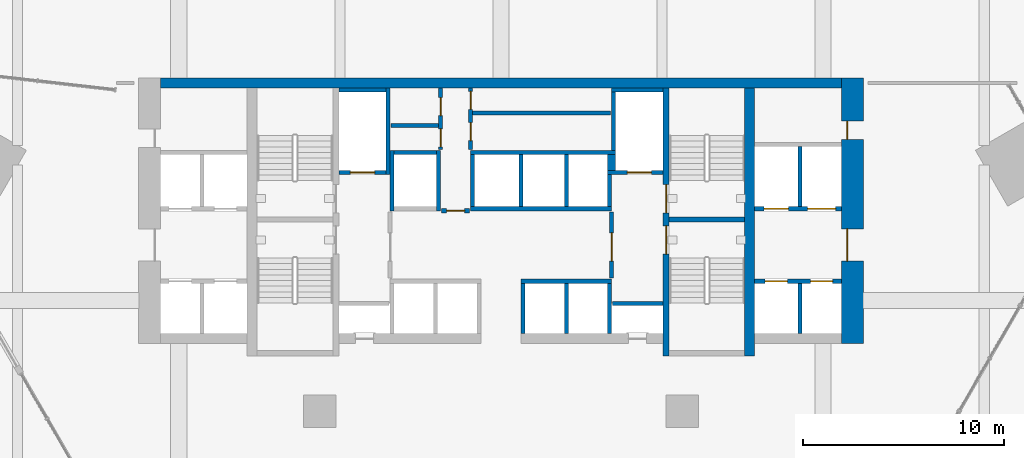
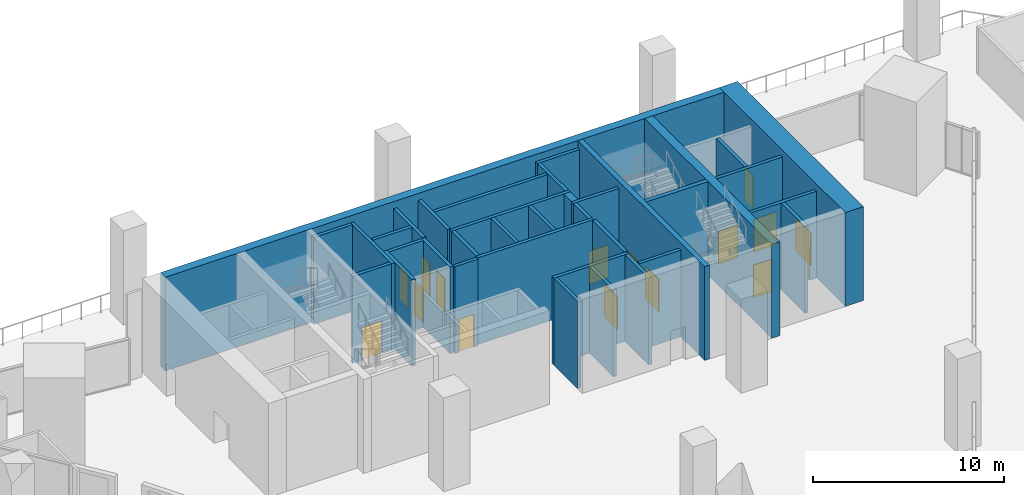
# One storey, part 20 of 25: 36 walls, 16 doors, 16 openings.
"""IFC4 building model written with IfcOpenShell, lengths in metres."""

from ifc_helpers import new_model, si_unit, direction, frame, frame_2d, origin, place, context, subcontext, project, spatial, rectangle, extrude, material, layer, layer_set, type_object, element, fill, save


model = new_model("IFC4")

# Units and contexts
model_context = context("Model", 3, precision=1e-05, world=origin(), true_north=direction((0.0, 1.0)))
body_context = subcontext(model_context, "Body", "Model", "MODEL_VIEW")
ifc_project = project(units=[si_unit("LENGTHUNIT", "METRE"), si_unit("AREAUNIT", "SQUARE_METRE"), si_unit("VOLUMEUNIT", "CUBIC_METRE"), si_unit("PLANEANGLEUNIT", "RADIAN"), si_unit("MASSUNIT", "GRAM", prefix="KILO")], contexts=[model_context])

# Site, building, storey
site_placement = place(None, origin())
site = spatial("IfcSite", under=ifc_project, at=site_placement, CompositionType="ELEMENT")
building_placement = place(site_placement, origin())
building = spatial("IfcBuilding", under=site, at=building_placement, Name="Calabash Gate Tower", CompositionType="ELEMENT")
storey_placement = place(building_placement, frame((0.0, 0.0, 40.0)))
storey = spatial("IfcBuildingStorey", under=building, at=storey_placement, Name="L05", CompositionType="ELEMENT", Elevation=40.0)

# Wall, openings, doors
ifc_material_1 = material(Name="Concrete C80/95", Category="concrete")
ifc_layer_1 = layer(ifc_material_1, 1.10009765625)
ifc_layer_set_1 = layer_set([ifc_layer_1], Name="Core wall 1100 Concrete C80/95")
wall_type_1 = type_object("IfcWallType", Name="Core wall 1100 Concrete C80/95", PredefinedType="SHEAR", material=ifc_layer_set_1)
wall_1_placement = place(storey_placement, frame((17.449951171875, 5.8525390625, 0.0), z_axis=(0.0, 0.0, 1.0), x_axis=(0.0, 1.0, 0.0)))
wall_1 = element("IfcWall", 1, at=wall_1_placement, inside=storey, type_object=wall_type_1, Name="Core wall Z0-ENDE L05", PredefinedType="SHEAR", context=body_context, shape_type="SweptSolid", body=[
    extrude(rectangle(XDim=13.199951171875, YDim=1.10009765625, at=frame_2d((6.60009765625, 0.0))), origin(), (0.0, 0.0, 1.0), 6.0),
])
opening_1_placement = place(wall_1_placement, frame((4.10009765625, 0.0, 0.0)))
opening_1 = element("IfcOpeningElement", 2, at=opening_1_placement, cuts=wall_1, Name="Opening L05-021", PredefinedType="OPENING", context=body_context, shape_type="SweptSolid", body=[
    extrude(rectangle(XDim=1.60009765625, YDim=2.10009765625, at=frame_2d((0.800048828125, 1.050048828125))), frame((0.0, 0.56005859375, 0.0), z_axis=(0.0, -1.0, 0.0), x_axis=(1.0, 0.0, 0.0)), (0.0, 0.0, 1.0), 1.1201171875),
])
opening_2_placement = place(wall_1_placement, frame((10.14990234375, 0.0, 0.0)))
opening_2 = element("IfcOpeningElement", 3, at=opening_2_placement, cuts=wall_1, Name="Opening L05-022", PredefinedType="OPENING", context=body_context, shape_type="SweptSolid", body=[
    extrude(rectangle(XDim=0.89990234375, YDim=2.10009765625, at=frame_2d((0.449951171875, 1.050048828125))), frame((0.0, 0.56005859375, 0.0), z_axis=(0.0, -1.0, 0.0), x_axis=(1.0, 0.0, 0.0)), (0.0, 0.0, 1.0), 1.1201171875),
])
ifc_material_2 = material(Name="Steel fire door set with fire-resisting glazing", Category="steel")
door_type_1 = type_object("IfcDoorType", Name="Double fire door D08 1600x2100 FD60", OperationType="DOUBLE_DOOR_SINGLE_SWING", PredefinedType="DOOR", material=ifc_material_2)
door_1_placement = place(opening_1_placement, origin())
door_1 = element("IfcDoor", 4, at=door_1_placement, inside=storey, type_object=door_type_1, Name="Low-rise Lift Lobby E door", OperationType="DOUBLE_DOOR_SINGLE_SWING", OverallHeight=2.10009765625, OverallWidth=1.60009765625, PredefinedType="DOOR", context=body_context, shape_type="SweptSolid", body=[
    extrude(rectangle(XDim=1.60009765625, YDim=2.10009765625, at=frame_2d((0.800048828125, 1.050048828125))), frame((0.0, 0.27490234375, 0.0), z_axis=(0.0, -1.0, 0.0), x_axis=(1.0, 0.0, 0.0)), (0.0, 0.0, 1.0), 0.050048828125),
])
fill(opening_1, door_1)
ifc_material_3 = material(Name="Steel fire door set with fire-resisting glazing", Category="steel")
door_type_2 = type_object("IfcDoorType", Name="Fire door D06 900x2100 FD60", OperationType="NOTDEFINED", PredefinedType="DOOR", material=ifc_material_3)
door_2_placement = place(opening_2_placement, origin())
door_2 = element("IfcDoor", 5, at=door_2_placement, inside=storey, type_object=door_type_2, Name="Pantry door", OperationType="SINGLE_SWING_LEFT", OverallHeight=2.10009765625, OverallWidth=0.89990234375, PredefinedType="DOOR", context=body_context, shape_type="SweptSolid", body=[
    extrude(rectangle(XDim=0.89990234375, YDim=2.10009765625, at=frame_2d((0.449951171875, 1.050048828125))), frame((0.0, 0.27490234375, 0.0), z_axis=(0.0, -1.0, 0.0), x_axis=(1.0, 0.0, 0.0)), (0.0, 0.0, 1.0), 0.050048828125),
])
fill(opening_2, door_2)

# Wall
ifc_material_4 = material(Name="Concrete C80/95", Category="concrete")
ifc_layer_2 = layer(ifc_material_4, 0.25)
ifc_layer_set_2 = layer_set([ifc_layer_2], Name="Core wall 250 Concrete C80/95")
wall_type_2 = type_object("IfcWallType", Name="Core wall 250 Concrete C80/95", PredefinedType="SHEAR", material=ifc_layer_set_2)
wall_2_placement = place(storey_placement, frame((8.35009765625, 12.027587890625, 0.0), z_axis=(0.0, 0.0, 1.0), x_axis=(1.0, 0.0, 0.0)))
element("IfcWall", 6, at=wall_2_placement, inside=storey, type_object=wall_type_2, Name="Core wall Z0-MIDE L05", PredefinedType="SHEAR", context=body_context, shape_type="SweptSolid", body=[
    extrude(rectangle(XDim=3.75, YDim=0.25, at=frame_2d((1.875, 0.0))), origin(), (0.0, 0.0, 1.0), 6.0),
])

# Wall, openings, doors
ifc_material_5 = material(Name="Concrete C80/95", Category="concrete")
ifc_layer_3 = layer(ifc_material_5, 0.300048828125)
ifc_layer_set_3 = layer_set([ifc_layer_3], Name="Core wall 300 Concrete C80/95")
wall_type_3 = type_object("IfcWallType", Name="Core wall 300 Concrete C80/95", PredefinedType="SHEAR", material=ifc_layer_set_3)
wall_3_placement = place(storey_placement, frame((8.199951171875, 5.252685546875, 0.0), z_axis=(0.0, 0.0, 1.0), x_axis=(0.0, 1.0, 0.0)))
wall_3 = element("IfcWall", 7, at=wall_3_placement, inside=storey, type_object=wall_type_3, Name="Core wall Z0-PARTE L05", PredefinedType="SHEAR", context=body_context, shape_type="SweptSolid", body=[
    extrude(rectangle(XDim=13.2998046875, YDim=0.300048828125, at=frame_2d((6.64990234375, 0.0))), origin(), (0.0, 0.0, 1.0), 6.0),
])
opening_3_placement = place(wall_3_placement, frame((7.10009765625, 0.0, 0.0)))
opening_3 = element("IfcOpeningElement", 8, at=opening_3_placement, cuts=wall_3, Name="Opening L05-008", PredefinedType="OPENING", context=body_context, shape_type="SweptSolid", body=[
    extrude(rectangle(XDim=1.39990234375, YDim=2.10009765625, at=frame_2d((0.699951171875, 1.050048828125))), frame((0.0, 0.159912109375, 0.0), z_axis=(0.0, -1.0, 0.0), x_axis=(1.0, 0.0, 0.0)), (0.0, 0.0, 1.0), 0.320068359375),
])
opening_4_placement = place(wall_3_placement, frame((5.050048828125, 0.0, 0.0)))
opening_4 = element("IfcOpeningElement", 9, at=opening_4_placement, cuts=wall_3, Name="Opening L05-009", PredefinedType="OPENING", context=body_context, shape_type="SweptSolid", body=[
    extrude(rectangle(XDim=1.39990234375, YDim=2.10009765625, at=frame_2d((0.699951171875, 1.050048828125))), frame((0.0, 0.159912109375, 0.0), z_axis=(0.0, -1.0, 0.0), x_axis=(1.0, 0.0, 0.0)), (0.0, 0.0, 1.0), 0.320068359375),
])
ifc_material_6 = material(Name="Steel fire door set with fire-resisting glazing", Category="steel")
door_type_3 = type_object("IfcDoorType", Name="Fire door D05 1400x2100 FD90", OperationType="NOTDEFINED", PredefinedType="DOOR", material=ifc_material_6)
door_3_placement = place(opening_3_placement, origin())
door_3 = element("IfcDoor", 10, at=door_3_placement, inside=storey, type_object=door_type_3, Name="Exit stair door ST3", OperationType="SINGLE_SWING_RIGHT", OverallHeight=2.10009765625, OverallWidth=1.39990234375, PredefinedType="DOOR", context=body_context, shape_type="SweptSolid", body=[
    extrude(rectangle(XDim=1.39990234375, YDim=2.10009765625, at=frame_2d((0.699951171875, 1.050048828125))), frame((0.0, 0.02490234375, 0.0), z_axis=(0.0, -1.0, 0.0), x_axis=(1.0, 0.0, 0.0)), (0.0, 0.0, 1.0), 0.050048828125),
])
fill(opening_3, door_3)
door_4_placement = place(opening_4_placement, origin())
door_4 = element("IfcDoor", 11, at=door_4_placement, inside=storey, type_object=door_type_3, Name="Exit stair door ST4", OperationType="SINGLE_SWING_LEFT", OverallHeight=2.10009765625, OverallWidth=1.39990234375, PredefinedType="DOOR", context=body_context, shape_type="SweptSolid", body=[
    extrude(rectangle(XDim=1.39990234375, YDim=2.10009765625, at=frame_2d((0.699951171875, 1.050048828125))), frame((0.0, 0.02490234375, 0.0), z_axis=(0.0, -1.0, 0.0), x_axis=(1.0, 0.0, 0.0)), (0.0, 0.0, 1.0), 0.050048828125),
])
fill(opening_4, door_4)

# Walls
ifc_material_7 = material(Name="Concrete C80/95", Category="concrete")
ifc_layer_4 = layer(ifc_material_7, 0.5)
ifc_layer_set_4 = layer_set([ifc_layer_4], Name="Core wall 500 Concrete C80/95")
wall_type_4 = type_object("IfcWallType", Name="Core wall 500 Concrete C80/95", PredefinedType="SHEAR", material=ifc_layer_set_4)
wall_4_placement = place(storey_placement, frame((-16.89990234375, 18.802490234375, 0.0), z_axis=(0.0, 0.0, 1.0), x_axis=(1.0, 0.0, 0.0)))
element("IfcWall", 12, at=wall_4_placement, inside=storey, type_object=wall_type_4, Name="Core wall Z0-N L05", PredefinedType="SHEAR", context=body_context, shape_type="SweptSolid", body=[
    extrude(rectangle(XDim=33.7998046875, YDim=0.5, at=frame_2d((16.89990234375, 0.0))), origin(), (0.0, 0.0, 1.0), 6.0),
])
wall_5_placement = place(storey_placement, frame((12.35009765625, 5.252685546875, 0.0), z_axis=(0.0, 0.0, 1.0), x_axis=(0.0, 1.0, 0.0)))
element("IfcWall", 13, at=wall_5_placement, inside=storey, type_object=wall_type_4, Name="Core wall Z0-COLE L05", PredefinedType="SHEAR", context=body_context, shape_type="SweptSolid", body=[
    extrude(rectangle(XDim=13.2998046875, YDim=0.5, at=frame_2d((6.64990234375, 0.0))), origin(), (0.0, 0.0, 1.0), 6.0),
])
ifc_material_8 = material(Name="Concrete C40/50", Category="concrete")
ifc_layer_5 = layer(ifc_material_8, 0.199951171875)
ifc_layer_set_5 = layer_set([ifc_layer_5], Name="Shaft wall 200 Concrete C40/50")
wall_type_5 = type_object("IfcWallType", Name="Shaft wall 200 Concrete C40/50", PredefinedType="SOLIDWALL", material=ifc_layer_set_5)
for number, where, z_axis, x_axis, name in (
    (14, (1.10009765625, 6.3525390625, 0.0), (0.0, 0.0, 1.0), (0.0, 1.0, 0.0), "Shaft wall"),
    (15, (3.25, 6.3525390625, 0.0), (0.0, 0.0, 1.0), (0.0, 1.0, 0.0), "Shaft wall"),
    (16, (5.39990234375, 6.3525390625, 0.0), (0.0, 0.0, 1.0), (0.0, 1.0, 0.0), "Shaft wall"),
    (17, (14.85009765625, 6.3525390625, 0.0), (0.0, 0.0, 1.0), (0.0, 1.0, 0.0), "Shaft wall"),
    (18, (5.550048828125, 7.8525390625, 0.0), (0.0, 0.0, 1.0), (1.0, 0.0, 0.0), "Shaft wall"),
):
    element("IfcWall", number, at=place(storey_placement, frame(where, z_axis=z_axis, x_axis=x_axis)), inside=storey, type_object=wall_type_5, Name=name, PredefinedType="SOLIDWALL", context=body_context, shape_type="SweptSolid", body=[
        extrude(rectangle(XDim=2.5, YDim=0.199951171875, at=frame_2d((1.25, 0.0))), origin(), (0.0, 0.0, 1.0), 5.550048828125),
    ])
wall_6_placement = place(storey_placement, frame((1.0, 8.95263671875, 0.0), z_axis=(0.0, 0.0, 1.0), x_axis=(1.0, 0.0, 0.0)))
element("IfcWall", 19, at=wall_6_placement, inside=storey, type_object=wall_type_5, Name="Shaft wall", PredefinedType="SOLIDWALL", context=body_context, shape_type="SweptSolid", body=[
    extrude(rectangle(XDim=4.5, YDim=0.199951171875, at=frame_2d((2.25, 0.0))), origin(), (0.0, 0.0, 1.0), 5.550048828125),
])

# Wall, openings, doors
wall_7_placement = place(storey_placement, frame((12.60009765625, 8.95263671875, 0.0), z_axis=(0.0, 0.0, 1.0), x_axis=(1.0, 0.0, 0.0)))
wall_7 = element("IfcWall", 20, at=wall_7_placement, inside=storey, type_object=wall_type_5, Name="Shaft wall", PredefinedType="SOLIDWALL", context=body_context, shape_type="SweptSolid", body=[
    extrude(rectangle(XDim=4.2998046875, YDim=0.199951171875, at=frame_2d((2.14990234375, 0.0))), origin(), (0.0, 0.0, 1.0), 5.550048828125),
])
opening_5_placement = place(wall_7_placement, frame((0.52490234375, 0.0, 0.0)))
opening_5 = element("IfcOpeningElement", 21, at=opening_5_placement, cuts=wall_7, Name="Opening LD-LR5", PredefinedType="OPENING", context=body_context, shape_type="SweptSolid", body=[
    extrude(rectangle(XDim=1.10009765625, YDim=2.10009765625, at=frame_2d((0.550048828125, 1.050048828125))), frame((0.0, 0.10986328125, 0.0), z_axis=(0.0, -1.0, 0.0), x_axis=(1.0, 0.0, 0.0)), (0.0, 0.0, 1.0), 0.219970703125),
])
opening_6_placement = place(wall_7_placement, frame((2.77490234375, 0.0, 0.0)))
opening_6 = element("IfcOpeningElement", 22, at=opening_6_placement, cuts=wall_7, Name="Opening LD-LR6", PredefinedType="OPENING", context=body_context, shape_type="SweptSolid", body=[
    extrude(rectangle(XDim=1.10009765625, YDim=2.10009765625, at=frame_2d((0.550048828125, 1.050048828125))), frame((0.0, 0.10986328125, 0.0), z_axis=(0.0, -1.0, 0.0), x_axis=(1.0, 0.0, 0.0)), (0.0, 0.0, 1.0), 0.219970703125),
])
ifc_material_9 = material(Name="Stainless steel sliding door leaves", Category="steel")
door_type_4 = type_object("IfcDoorType", Name="Lift landing door LS1 1100x2100 FD90", OperationType="DOUBLE_DOOR_SLIDING", PredefinedType="DOOR", material=ifc_material_9)
door_5_placement = place(opening_5_placement, origin())
door_5 = element("IfcDoor", 23, at=door_5_placement, inside=storey, type_object=door_type_4, Name="Lift landing door LR5", OperationType="DOUBLE_DOOR_SLIDING", OverallHeight=2.10009765625, OverallWidth=1.10009765625, PredefinedType="DOOR", context=body_context, shape_type="SweptSolid", body=[
    extrude(rectangle(XDim=1.10009765625, YDim=2.10009765625, at=frame_2d((0.550048828125, 1.050048828125))), frame((0.0, 0.02490234375, 0.0), z_axis=(0.0, -1.0, 0.0), x_axis=(1.0, 0.0, 0.0)), (0.0, 0.0, 1.0), 0.050048828125),
])
fill(opening_5, door_5)
door_6_placement = place(opening_6_placement, origin())
door_6 = element("IfcDoor", 24, at=door_6_placement, inside=storey, type_object=door_type_4, Name="Lift landing door LR6", OperationType="DOUBLE_DOOR_SLIDING", OverallHeight=2.10009765625, OverallWidth=1.10009765625, PredefinedType="DOOR", context=body_context, shape_type="SweptSolid", body=[
    extrude(rectangle(XDim=1.10009765625, YDim=2.10009765625, at=frame_2d((0.550048828125, 1.050048828125))), frame((0.0, 0.02490234375, 0.0), z_axis=(0.0, -1.0, 0.0), x_axis=(1.0, 0.0, 0.0)), (0.0, 0.0, 1.0), 0.050048828125),
])
fill(opening_6, door_6)

# Wall, opening, door
wall_8_placement = place(storey_placement, frame((5.5, 9.1025390625, 0.0), z_axis=(0.0, 0.0, 1.0), x_axis=(0.0, 1.0, 0.0)))
wall_8 = element("IfcWall", 25, at=wall_8_placement, inside=storey, type_object=wall_type_5, Name="Shaft wall", PredefinedType="SOLIDWALL", context=body_context, shape_type="SweptSolid", body=[
    extrude(rectangle(XDim=3.300048828125, YDim=0.199951171875, at=frame_2d((1.64990234375, 0.0))), origin(), (0.0, 0.0, 1.0), 5.550048828125),
])
opening_7_placement = place(wall_8_placement, frame((0.85009765625, 0.0, 0.0)))
opening_7 = element("IfcOpeningElement", 26, at=opening_7_placement, cuts=wall_8, Name="Opening L05-012", PredefinedType="OPENING", context=body_context, shape_type="SweptSolid", body=[
    extrude(rectangle(XDim=1.39990234375, YDim=2.10009765625, at=frame_2d((0.699951171875, 1.050048828125))), frame((0.0, 0.10986328125, 0.0), z_axis=(0.0, -1.0, 0.0), x_axis=(1.0, 0.0, 0.0)), (0.0, 0.0, 1.0), 0.219970703125),
])
door_7_placement = place(opening_7_placement, origin())
door_7 = element("IfcDoor", 27, at=door_7_placement, inside=storey, type_object=door_type_3, Name="Firefighting Lobby E door", OperationType="SINGLE_SWING_LEFT", OverallHeight=2.10009765625, OverallWidth=1.39990234375, PredefinedType="DOOR", context=body_context, shape_type="SweptSolid", body=[
    extrude(rectangle(XDim=1.39990234375, YDim=2.10009765625, at=frame_2d((0.699951171875, 1.050048828125))), frame((0.0, 0.02490234375, 0.0), z_axis=(0.0, -1.0, 0.0), x_axis=(1.0, 0.0, 0.0)), (0.0, 0.0, 1.0), 0.050048828125),
])
fill(opening_7, door_7)

wall_9_placement = place(storey_placement, frame((-2.949951171875, 12.45263671875, 0.0), z_axis=(0.0, 0.0, 1.0), x_axis=(1.0, 0.0, 0.0)))
wall_9 = element("IfcWall", 28, at=wall_9_placement, inside=storey, type_object=wall_type_5, Name="Shaft wall", PredefinedType="SOLIDWALL", context=body_context, shape_type="SweptSolid", body=[
    extrude(rectangle(XDim=1.39990234375, YDim=0.199951171875, at=frame_2d((0.699951171875, 0.0))), origin(), (0.0, 0.0, 1.0), 5.550048828125),
])
opening_8_placement = place(wall_9_placement, frame((0.25, 0.0, 0.0)))
opening_8 = element("IfcOpeningElement", 29, at=opening_8_placement, cuts=wall_9, Name="Opening L05-010", PredefinedType="OPENING", context=body_context, shape_type="SweptSolid", body=[
    extrude(rectangle(XDim=0.89990234375, YDim=2.10009765625, at=frame_2d((0.449951171875, 1.050048828125))), frame((0.0, 0.10986328125, 0.0), z_axis=(0.0, -1.0, 0.0), x_axis=(1.0, 0.0, 0.0)), (0.0, 0.0, 1.0), 0.219970703125),
])
door_8_placement = place(opening_8_placement, origin())
door_8 = element("IfcDoor", 30, at=door_8_placement, inside=storey, type_object=door_type_2, Name="Service Corridor door", OperationType="SINGLE_SWING_RIGHT", OverallHeight=2.10009765625, OverallWidth=0.89990234375, PredefinedType="DOOR", context=body_context, shape_type="SweptSolid", body=[
    extrude(rectangle(XDim=0.89990234375, YDim=2.10009765625, at=frame_2d((0.449951171875, 1.050048828125))), frame((0.0, 0.02490234375, 0.0), z_axis=(0.0, -1.0, 0.0), x_axis=(1.0, 0.0, 0.0)), (0.0, 0.0, 1.0), 0.050048828125),
])
fill(opening_8, door_8)

# Walls
for number, where, z_axis, x_axis, name in (
    (31, (-5.39990234375, 12.45263671875, 0.0), (0.0, 0.0, 1.0), (0.0, 1.0, 0.0), "Shaft wall"),
    (32, (-3.10009765625, 12.45263671875, 0.0), (0.0, 0.0, 1.0), (0.0, 1.0, 0.0), "Shaft wall"),
):
    element("IfcWall", number, at=place(storey_placement, frame(where, z_axis=z_axis, x_axis=x_axis)), inside=storey, type_object=wall_type_5, Name=name, PredefinedType="SOLIDWALL", context=body_context, shape_type="SweptSolid", body=[
        extrude(rectangle(XDim=3.0, YDim=0.199951171875, at=frame_2d((1.5, 0.0))), origin(), (0.0, 0.0, 1.0), 5.550048828125),
    ])
wall_10_placement = place(storey_placement, frame((-1.5, 12.552490234375, 0.0), z_axis=(0.0, 0.0, 1.0), x_axis=(1.0, 0.0, 0.0)))
element("IfcWall", 33, at=wall_10_placement, inside=storey, type_object=wall_type_5, Name="Shaft wall", PredefinedType="SOLIDWALL", context=body_context, shape_type="SweptSolid", body=[
    extrude(rectangle(XDim=7.0, YDim=0.199951171875, at=frame_2d((3.5, 0.0))), origin(), (0.0, 0.0, 1.0), 5.550048828125),
])

# Wall, openings, doors
wall_11_placement = place(storey_placement, frame((12.60009765625, 12.552490234375, 0.0), z_axis=(0.0, 0.0, 1.0), x_axis=(1.0, 0.0, 0.0)))
wall_11 = element("IfcWall", 34, at=wall_11_placement, inside=storey, type_object=wall_type_5, Name="Shaft wall", PredefinedType="SOLIDWALL", context=body_context, shape_type="SweptSolid", body=[
    extrude(rectangle(XDim=4.2998046875, YDim=0.199951171875, at=frame_2d((2.14990234375, 0.0))), origin(), (0.0, 0.0, 1.0), 5.550048828125),
])
opening_9_placement = place(wall_11_placement, frame((0.47509765625, 0.0, 0.0)))
opening_9 = element("IfcOpeningElement", 35, at=opening_9_placement, cuts=wall_11, Name="Opening LD-SL1", PredefinedType="OPENING", context=body_context, shape_type="SweptSolid", body=[
    extrude(rectangle(XDim=1.199951171875, YDim=2.10009765625, at=frame_2d((0.60009765625, 1.050048828125))), frame((0.0, 0.10986328125, 0.0), z_axis=(0.0, -1.0, 0.0), x_axis=(1.0, 0.0, 0.0)), (0.0, 0.0, 1.0), 0.219970703125),
])
opening_10_placement = place(wall_11_placement, frame((2.625, 0.0, 0.0)))
opening_10 = element("IfcOpeningElement", 36, at=opening_10_placement, cuts=wall_11, Name="Opening LD-GL1", PredefinedType="OPENING", context=body_context, shape_type="SweptSolid", body=[
    extrude(rectangle(XDim=1.39990234375, YDim=2.10009765625, at=frame_2d((0.699951171875, 1.050048828125))), frame((0.0, 0.10986328125, 0.0), z_axis=(0.0, -1.0, 0.0), x_axis=(1.0, 0.0, 0.0)), (0.0, 0.0, 1.0), 0.219970703125),
])
ifc_material_10 = material(Name="Stainless steel sliding door leaves", Category="steel")
door_type_5 = type_object("IfcDoorType", Name="Lift landing door LS3 1200x2100 FD90", OperationType="DOUBLE_DOOR_SLIDING", PredefinedType="DOOR", material=ifc_material_10)
door_9_placement = place(opening_9_placement, origin())
door_9 = element("IfcDoor", 37, at=door_9_placement, inside=storey, type_object=door_type_5, Name="Lift landing door SL1", OperationType="DOUBLE_DOOR_SLIDING", OverallHeight=2.10009765625, OverallWidth=1.199951171875, PredefinedType="DOOR", context=body_context, shape_type="SweptSolid", body=[
    extrude(rectangle(XDim=1.199951171875, YDim=2.10009765625, at=frame_2d((0.60009765625, 1.050048828125))), frame((0.0, 0.02490234375, 0.0), z_axis=(0.0, -1.0, 0.0), x_axis=(1.0, 0.0, 0.0)), (0.0, 0.0, 1.0), 0.050048828125),
])
fill(opening_9, door_9)
ifc_material_11 = material(Name="Stainless steel sliding door leaves", Category="steel")
door_type_6 = type_object("IfcDoorType", Name="Lift landing door LS4 1400x2100 FD90", OperationType="DOUBLE_DOOR_SLIDING", PredefinedType="DOOR", material=ifc_material_11)
door_10_placement = place(opening_10_placement, origin())
door_10 = element("IfcDoor", 38, at=door_10_placement, inside=storey, type_object=door_type_6, Name="Lift landing door GL1", OperationType="DOUBLE_DOOR_SLIDING", OverallHeight=2.10009765625, OverallWidth=1.39990234375, PredefinedType="DOOR", context=body_context, shape_type="SweptSolid", body=[
    extrude(rectangle(XDim=1.39990234375, YDim=2.10009765625, at=frame_2d((0.699951171875, 1.050048828125))), frame((0.0, 0.02490234375, 0.0), z_axis=(0.0, -1.0, 0.0), x_axis=(1.0, 0.0, 0.0)), (0.0, 0.0, 1.0), 0.050048828125),
])
fill(opening_10, door_10)

# Walls
for number, where, z_axis, x_axis, name in (
    (39, (-1.39990234375, 12.652587890625, 0.0), (0.0, 0.0, 1.0), (0.0, 1.0, 0.0), "Shaft wall"),
    (40, (1.0, 12.652587890625, 0.0), (0.0, 0.0, 1.0), (0.0, 1.0, 0.0), "Shaft wall"),
    (41, (3.25, 12.652587890625, 0.0), (0.0, 0.0, 1.0), (0.0, 1.0, 0.0), "Shaft wall"),
):
    element("IfcWall", number, at=place(storey_placement, frame(where, z_axis=z_axis, x_axis=x_axis)), inside=storey, type_object=wall_type_5, Name=name, PredefinedType="SOLIDWALL", context=body_context, shape_type="SweptSolid", body=[
        extrude(rectangle(XDim=2.60009765625, YDim=0.199951171875, at=frame_2d((1.300048828125, 0.0))), origin(), (0.0, 0.0, 1.0), 5.550048828125),
    ])
wall_12_placement = place(storey_placement, frame((5.39990234375, 12.652587890625, 0.0), z_axis=(0.0, 0.0, 1.0), x_axis=(0.0, 1.0, 0.0)))
element("IfcWall", 42, at=wall_12_placement, inside=storey, type_object=wall_type_5, Name="Shaft wall", PredefinedType="SOLIDWALL", context=body_context, shape_type="SweptSolid", body=[
    extrude(rectangle(XDim=1.60009765625, YDim=0.199951171875, at=frame_2d((0.800048828125, 0.0))), origin(), (0.0, 0.0, 1.0), 5.550048828125),
])
wall_13_placement = place(storey_placement, frame((14.85009765625, 12.652587890625, 0.0), z_axis=(0.0, 0.0, 1.0), x_axis=(0.0, 1.0, 0.0)))
element("IfcWall", 43, at=wall_13_placement, inside=storey, type_object=wall_type_5, Name="Shaft wall", PredefinedType="SOLIDWALL", context=body_context, shape_type="SweptSolid", body=[
    extrude(rectangle(XDim=3.0, YDim=0.199951171875, at=frame_2d((1.5, 0.0))), origin(), (0.0, 0.0, 1.0), 5.550048828125),
])

# Wall, opening, door
wall_14_placement = place(storey_placement, frame((-8.050048828125, 14.3525390625, 0.0), z_axis=(0.0, 0.0, 1.0), x_axis=(1.0, 0.0, 0.0)))
wall_14 = element("IfcWall", 44, at=wall_14_placement, inside=storey, type_object=wall_type_5, Name="Shaft wall", PredefinedType="SOLIDWALL", context=body_context, shape_type="SweptSolid", body=[
    extrude(rectangle(XDim=2.35009765625, YDim=0.199951171875, at=frame_2d((1.175048828125, 0.0))), origin(), (0.0, 0.0, 1.0), 5.550048828125),
])
opening_11_placement = place(wall_14_placement, frame((0.574951171875, 0.0, 0.0)))
opening_11 = element("IfcOpeningElement", 45, at=opening_11_placement, cuts=wall_14, Name="Opening LD-FF1", PredefinedType="OPENING", context=body_context, shape_type="SweptSolid", body=[
    extrude(rectangle(XDim=1.199951171875, YDim=2.10009765625, at=frame_2d((0.60009765625, 1.050048828125))), frame((0.0, 0.10986328125, 0.0), z_axis=(0.0, -1.0, 0.0), x_axis=(1.0, 0.0, 0.0)), (0.0, 0.0, 1.0), 0.219970703125),
])
door_11_placement = place(opening_11_placement, origin())
door_11 = element("IfcDoor", 46, at=door_11_placement, inside=storey, type_object=door_type_5, Name="Lift landing door FF1", OperationType="DOUBLE_DOOR_SLIDING", OverallHeight=2.10009765625, OverallWidth=1.199951171875, PredefinedType="DOOR", context=body_context, shape_type="SweptSolid", body=[
    extrude(rectangle(XDim=1.199951171875, YDim=2.10009765625, at=frame_2d((0.60009765625, 1.050048828125))), frame((0.0, 0.02490234375, 0.0), z_axis=(0.0, -1.0, 0.0), x_axis=(1.0, 0.0, 0.0)), (0.0, 0.0, 1.0), 0.050048828125),
])
fill(opening_11, door_11)

# Wall
wall_15_placement = place(storey_placement, frame((-5.60009765625, 14.252685546875, 0.0), z_axis=(0.0, 0.0, 1.0), x_axis=(0.0, 1.0, 0.0)))
element("IfcWall", 47, at=wall_15_placement, inside=storey, type_object=wall_type_5, Name="Shaft wall", PredefinedType="SOLIDWALL", context=body_context, shape_type="SweptSolid", body=[
    extrude(rectangle(XDim=4.2998046875, YDim=0.199951171875, at=frame_2d((2.14990234375, 0.0))), origin(), (0.0, 0.0, 1.0), 5.550048828125),
])

# Wall, opening, door
wall_16_placement = place(storey_placement, frame((5.300048828125, 14.3525390625, 0.0), z_axis=(0.0, 0.0, 1.0), x_axis=(1.0, 0.0, 0.0)))
wall_16 = element("IfcWall", 48, at=wall_16_placement, inside=storey, type_object=wall_type_5, Name="Shaft wall", PredefinedType="SOLIDWALL", context=body_context, shape_type="SweptSolid", body=[
    extrude(rectangle(XDim=2.75, YDim=0.199951171875, at=frame_2d((1.375, 0.0))), origin(), (0.0, 0.0, 1.0), 5.550048828125),
])
opening_12_placement = place(wall_16_placement, frame((0.97509765625, 0.0, 0.0)))
opening_12 = element("IfcOpeningElement", 49, at=opening_12_placement, cuts=wall_16, Name="Opening LD-FF2", PredefinedType="OPENING", context=body_context, shape_type="SweptSolid", body=[
    extrude(rectangle(XDim=1.199951171875, YDim=2.10009765625, at=frame_2d((0.60009765625, 1.050048828125))), frame((0.0, 0.10986328125, 0.0), z_axis=(0.0, -1.0, 0.0), x_axis=(1.0, 0.0, 0.0)), (0.0, 0.0, 1.0), 0.219970703125),
])
door_12_placement = place(opening_12_placement, origin())
door_12 = element("IfcDoor", 50, at=door_12_placement, inside=storey, type_object=door_type_5, Name="Lift landing door FF2", OperationType="DOUBLE_DOOR_SLIDING", OverallHeight=2.10009765625, OverallWidth=1.199951171875, PredefinedType="DOOR", context=body_context, shape_type="SweptSolid", body=[
    extrude(rectangle(XDim=1.199951171875, YDim=2.10009765625, at=frame_2d((0.60009765625, 1.050048828125))), frame((0.0, 0.02490234375, 0.0), z_axis=(0.0, -1.0, 0.0), x_axis=(1.0, 0.0, 0.0)), (0.0, 0.0, 1.0), 0.050048828125),
])
fill(opening_12, door_12)

# Walls
wall_17_placement = place(storey_placement, frame((5.5, 14.45263671875, 0.0), z_axis=(0.0, 0.0, 1.0), x_axis=(0.0, 1.0, 0.0)))
element("IfcWall", 51, at=wall_17_placement, inside=storey, type_object=wall_type_5, Name="Shaft wall", PredefinedType="SOLIDWALL", context=body_context, shape_type="SweptSolid", body=[
    extrude(rectangle(XDim=0.800048828125, YDim=0.39990234375, at=frame_2d((0.39990234375, 0.0))), origin(), (0.0, 0.0, 1.0), 5.550048828125),
])
wall_18_placement = place(storey_placement, frame((-5.300048828125, 15.3525390625, 0.0), z_axis=(0.0, 0.0, 1.0), x_axis=(1.0, 0.0, 0.0)))
element("IfcWall", 52, at=wall_18_placement, inside=storey, type_object=wall_type_5, Name="Shaft wall", PredefinedType="SOLIDWALL", context=body_context, shape_type="SweptSolid", body=[
    extrude(rectangle(XDim=2.10009765625, YDim=0.199951171875, at=frame_2d((1.050048828125, 0.0))), origin(), (0.0, 0.0, 1.0), 5.550048828125),
])
wall_19_placement = place(storey_placement, frame((-1.5, 15.3525390625, 0.0), z_axis=(0.0, 0.0, 1.0), x_axis=(1.0, 0.0, 0.0)))
element("IfcWall", 53, at=wall_19_placement, inside=storey, type_object=wall_type_5, Name="Shaft wall", PredefinedType="SOLIDWALL", context=body_context, shape_type="SweptSolid", body=[
    extrude(rectangle(XDim=7.199951171875, YDim=0.199951171875, at=frame_2d((3.60009765625, 0.0))), origin(), (0.0, 0.0, 1.0), 5.550048828125),
])
wall_20_placement = place(storey_placement, frame((5.60009765625, 15.45263671875, 0.0), z_axis=(0.0, 0.0, 1.0), x_axis=(0.0, 1.0, 0.0)))
element("IfcWall", 54, at=wall_20_placement, inside=storey, type_object=wall_type_5, Name="Shaft wall", PredefinedType="SOLIDWALL", context=body_context, shape_type="SweptSolid", body=[
    extrude(rectangle(XDim=2.89990234375, YDim=0.199951171875, at=frame_2d((1.449951171875, 0.0))), origin(), (0.0, 0.0, 1.0), 5.550048828125),
])

# Wall, openings, doors
wall_21_placement = place(storey_placement, frame((-3.0, 15.502685546875, 0.0), z_axis=(0.0, 0.0, 1.0), x_axis=(0.0, 1.0, 0.0)))
wall_21 = element("IfcWall", 55, at=wall_21_placement, inside=storey, type_object=wall_type_5, Name="Shaft wall", PredefinedType="SOLIDWALL", context=body_context, shape_type="SweptSolid", body=[
    extrude(rectangle(XDim=3.0498046875, YDim=0.199951171875, at=frame_2d((1.52490234375, 0.0))), origin(), (0.0, 0.0, 1.0), 5.550048828125),
])
opening_13_placement = place(wall_21_placement, frame((0.1201171875, 0.0, 0.0)))
opening_13 = element("IfcOpeningElement", 56, at=opening_13_placement, cuts=wall_21, Name="Opening L05-013", PredefinedType="OPENING", context=body_context, shape_type="SweptSolid", body=[
    extrude(rectangle(XDim=0.89990234375, YDim=2.10009765625, at=frame_2d((0.449951171875, 1.050048828125))), frame((0.0, 0.10986328125, 0.0), z_axis=(0.0, -1.0, 0.0), x_axis=(1.0, 0.0, 0.0)), (0.0, 0.0, 1.0), 0.219970703125),
])
opening_14_placement = place(wall_21_placement, frame((1.669921875, 0.0, 0.0)))
opening_14 = element("IfcOpeningElement", 57, at=opening_14_placement, cuts=wall_21, Name="Opening L05-014", PredefinedType="OPENING", context=body_context, shape_type="SweptSolid", body=[
    extrude(rectangle(XDim=0.89990234375, YDim=2.10009765625, at=frame_2d((0.449951171875, 1.050048828125))), frame((0.0, 0.10986328125, 0.0), z_axis=(0.0, -1.0, 0.0), x_axis=(1.0, 0.0, 0.0)), (0.0, 0.0, 1.0), 0.219970703125),
])
door_13_placement = place(opening_13_placement, origin())
door_13 = element("IfcDoor", 58, at=door_13_placement, inside=storey, type_object=door_type_2, Name="Accessible WC door", OperationType="SINGLE_SWING_LEFT", OverallHeight=2.10009765625, OverallWidth=0.89990234375, PredefinedType="DOOR", context=body_context, shape_type="SweptSolid", body=[
    extrude(rectangle(XDim=0.89990234375, YDim=2.10009765625, at=frame_2d((0.449951171875, 1.050048828125))), frame((0.0, 0.02490234375, 0.0), z_axis=(0.0, -1.0, 0.0), x_axis=(1.0, 0.0, 0.0)), (0.0, 0.0, 1.0), 0.050048828125),
])
fill(opening_13, door_13)
door_14_placement = place(opening_14_placement, origin())
door_14 = element("IfcDoor", 59, at=door_14_placement, inside=storey, type_object=door_type_2, Name="Cleaner's Store door", OperationType="SINGLE_SWING_LEFT", OverallHeight=2.10009765625, OverallWidth=0.89990234375, PredefinedType="DOOR", context=body_context, shape_type="SweptSolid", body=[
    extrude(rectangle(XDim=0.89990234375, YDim=2.10009765625, at=frame_2d((0.449951171875, 1.050048828125))), frame((0.0, 0.02490234375, 0.0), z_axis=(0.0, -1.0, 0.0), x_axis=(1.0, 0.0, 0.0)), (0.0, 0.0, 1.0), 0.050048828125),
])
fill(opening_14, door_14)

wall_22_placement = place(storey_placement, frame((-1.5, 15.502685546875, 0.0), z_axis=(0.0, 0.0, 1.0), x_axis=(0.0, 1.0, 0.0)))
wall_22 = element("IfcWall", 60, at=wall_22_placement, inside=storey, type_object=wall_type_5, Name="Shaft wall", PredefinedType="SOLIDWALL", context=body_context, shape_type="SweptSolid", body=[
    extrude(rectangle(XDim=3.0498046875, YDim=0.199951171875, at=frame_2d((1.52490234375, 0.0))), origin(), (0.0, 0.0, 1.0), 5.550048828125),
])
opening_15_placement = place(wall_22_placement, frame((0.429931640625, 0.0, 0.0)))
opening_15 = element("IfcOpeningElement", 61, at=opening_15_placement, cuts=wall_22, Name="Opening L05-015", PredefinedType="OPENING", context=body_context, shape_type="SweptSolid", body=[
    extrude(rectangle(XDim=0.89990234375, YDim=2.10009765625, at=frame_2d((0.449951171875, 1.050048828125))), frame((0.0, 0.10986328125, 0.0), z_axis=(0.0, -1.0, 0.0), x_axis=(1.0, 0.0, 0.0)), (0.0, 0.0, 1.0), 0.219970703125),
])
opening_16_placement = place(wall_22_placement, frame((1.97998046875, 0.0, 0.0)))
opening_16 = element("IfcOpeningElement", 62, at=opening_16_placement, cuts=wall_22, Name="Opening L05-016", PredefinedType="OPENING", context=body_context, shape_type="SweptSolid", body=[
    extrude(rectangle(XDim=0.89990234375, YDim=2.10009765625, at=frame_2d((0.449951171875, 1.050048828125))), frame((0.0, 0.10986328125, 0.0), z_axis=(0.0, -1.0, 0.0), x_axis=(1.0, 0.0, 0.0)), (0.0, 0.0, 1.0), 0.219970703125),
])
door_15_placement = place(opening_15_placement, origin())
door_15 = element("IfcDoor", 63, at=door_15_placement, inside=storey, type_object=door_type_2, Name="Comms Room door", OperationType="SINGLE_SWING_LEFT", OverallHeight=2.10009765625, OverallWidth=0.89990234375, PredefinedType="DOOR", context=body_context, shape_type="SweptSolid", body=[
    extrude(rectangle(XDim=0.89990234375, YDim=2.10009765625, at=frame_2d((0.449951171875, 1.050048828125))), frame((0.0, 0.02490234375, 0.0), z_axis=(0.0, -1.0, 0.0), x_axis=(1.0, 0.0, 0.0)), (0.0, 0.0, 1.0), 0.050048828125),
])
fill(opening_15, door_15)
door_16_placement = place(opening_16_placement, origin())
door_16 = element("IfcDoor", 64, at=door_16_placement, inside=storey, type_object=door_type_2, Name="Staff WC door", OperationType="SINGLE_SWING_LEFT", OverallHeight=2.10009765625, OverallWidth=0.89990234375, PredefinedType="DOOR", context=body_context, shape_type="SweptSolid", body=[
    extrude(rectangle(XDim=0.89990234375, YDim=2.10009765625, at=frame_2d((0.449951171875, 1.050048828125))), frame((0.0, 0.02490234375, 0.0), z_axis=(0.0, -1.0, 0.0), x_axis=(1.0, 0.0, 0.0)), (0.0, 0.0, 1.0), 0.050048828125),
])
fill(opening_16, door_16)

# Walls
wall_23_placement = place(storey_placement, frame((-5.449951171875, 16.692626953125, 0.0), z_axis=(0.0, 0.0, 1.0), x_axis=(1.0, 0.0, 0.0)))
element("IfcWall", 65, at=wall_23_placement, inside=storey, type_object=wall_type_5, Name="Shaft wall", PredefinedType="SOLIDWALL", context=body_context, shape_type="SweptSolid", body=[
    extrude(rectangle(XDim=2.349853515625, YDim=0.199951171875, at=frame_2d((1.1748046875, 0.0))), origin(), (0.0, 0.0, 1.0), 5.550048828125),
])
wall_24_placement = place(storey_placement, frame((-1.39990234375, 17.3125, 0.0), z_axis=(0.0, 0.0, 1.0), x_axis=(1.0, 0.0, 0.0)))
element("IfcWall", 66, at=wall_24_placement, inside=storey, type_object=wall_type_5, Name="Shaft wall", PredefinedType="SOLIDWALL", context=body_context, shape_type="SweptSolid", body=[
    extrude(rectangle(XDim=6.849853515625, YDim=0.199951171875, at=frame_2d((3.4248046875, 0.0))), origin(), (0.0, 0.0, 1.0), 5.550048828125),
])
wall_25_placement = place(storey_placement, frame((-8.050048828125, 18.45263671875, 0.0), z_axis=(0.0, 0.0, 1.0), x_axis=(1.0, 0.0, 0.0)))
element("IfcWall", 67, at=wall_25_placement, inside=storey, type_object=wall_type_5, Name="Shaft wall", PredefinedType="SOLIDWALL", context=body_context, shape_type="SweptSolid", body=[
    extrude(rectangle(XDim=2.35009765625, YDim=0.199951171875, at=frame_2d((1.175048828125, 0.0))), origin(), (0.0, 0.0, 1.0), 5.550048828125),
])
wall_26_placement = place(storey_placement, frame((5.5, 18.45263671875, 0.0), z_axis=(0.0, 0.0, 1.0), x_axis=(1.0, 0.0, 0.0)))
element("IfcWall", 68, at=wall_26_placement, inside=storey, type_object=wall_type_5, Name="Shaft wall", PredefinedType="SOLIDWALL", context=body_context, shape_type="SweptSolid", body=[
    extrude(rectangle(XDim=2.550048828125, YDim=0.199951171875, at=frame_2d((1.27490234375, 0.0))), origin(), (0.0, 0.0, 1.0), 5.550048828125),
])

save(model, "model.ifc")
